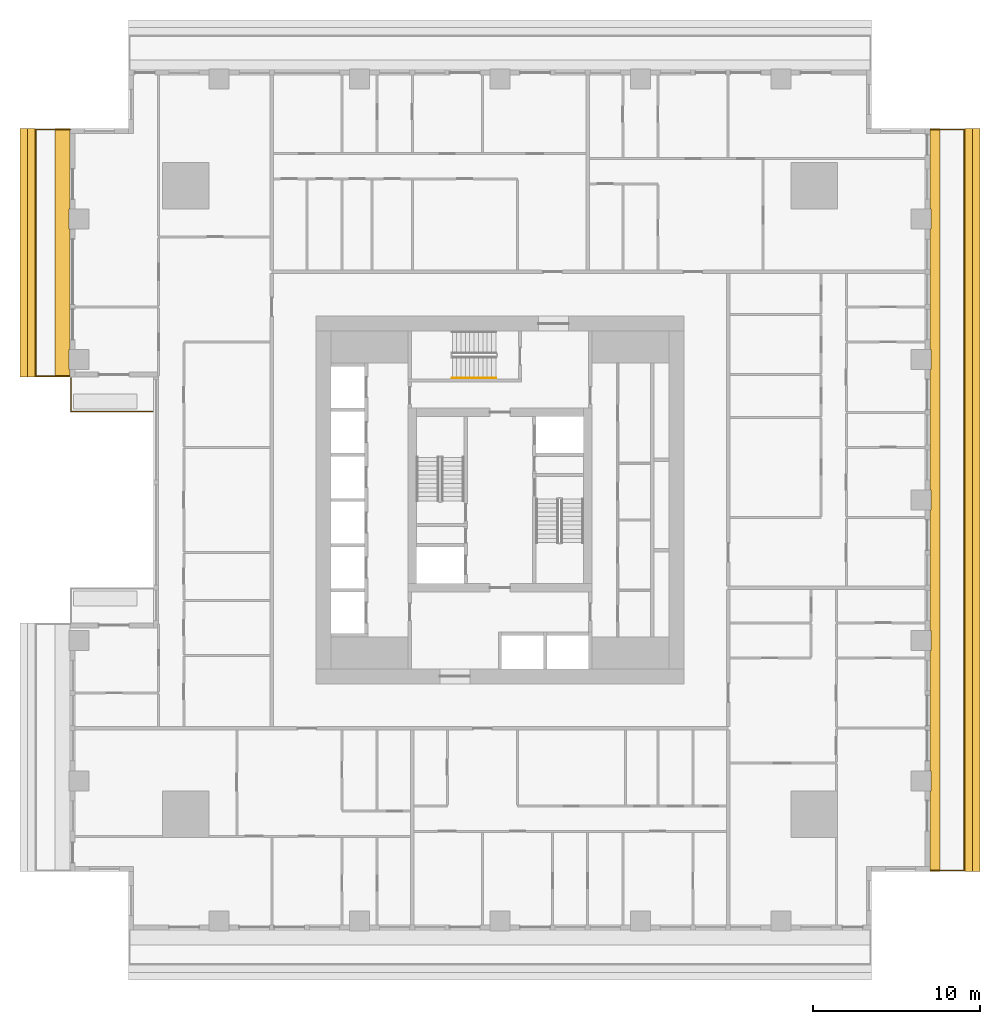
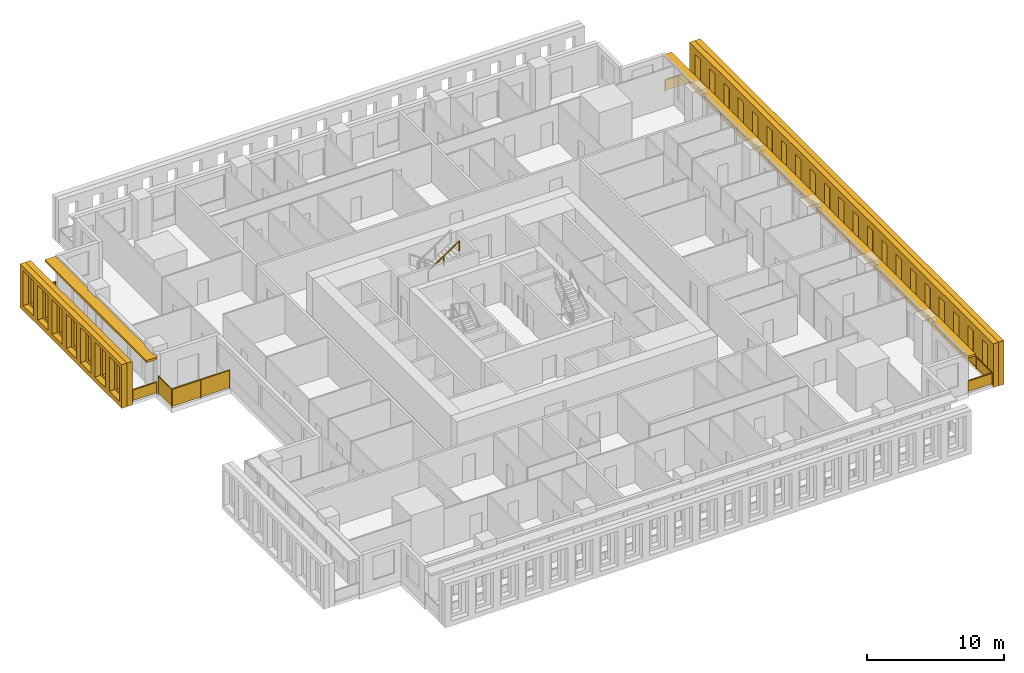
# One storey, part 13 of 15: 6 shading devices, 4 railings.
"""IFC4 building model written with IfcOpenShell, lengths in metres."""

import ifcopenshell
import ifcopenshell.guid

model = None  # the IFC model being written
_history = None  # IfcOwnerHistory: only IFC2X3 demands one
_inside = {}  # id of a spatial element -> (the spatial element, [elements in it])
_under = {}  # id of a project, library or spatial element -> (it, [spatial elements below it])
_declared = {}  # id of a project -> (the project, [libraries it declares])
_typed = {}  # id of a type object -> (the type object, [elements of that type])
_made_of = {}  # id of a material, layer set ... -> (it, [elements and type objects made of it])


def new_model(schema):
    """Start an empty IFC model of exactly this schema.

    Asked for "IFC4X3", IfcOpenShell would pick the latest addendum, in which some entities
    have other attributes; the version numbers below select the first issue.
    IFC2X3 requires an IfcOwnerHistory on every rooted entity: one is made here for all.
    """
    global model, _history
    if schema == "IFC4X3":
        model = ifcopenshell.file(schema_version=(4, 3, 0, 0))
    else:
        model = ifcopenshell.file(schema=schema)
    _inside.clear()
    _under.clear()
    _declared.clear()
    _typed.clear()
    _made_of.clear()
    _history = None
    if model.schema == "IFC2X3":
        org = make("IfcOrganization", Name="unknown")
        user = make(
            "IfcPersonAndOrganization",
            ThePerson=make("IfcPerson", FamilyName="unknown"),
            TheOrganization=org,
        )
        app = make(
            "IfcApplication",
            ApplicationDeveloper=org,
            Version="unknown",
            ApplicationFullName="unknown",
            ApplicationIdentifier="unknown",
        )
        _history = make(
            "IfcOwnerHistory",
            OwningUser=user,
            OwningApplication=app,
            ChangeAction="ADDED",
            CreationDate=0,
        )
    return model


def make(cls, **values):
    """One entity of the class cls with the attributes given. An attribute that is None is left unset."""
    return model.create_entity(
        cls, **{name: value for name, value in values.items() if value is not None}
    )


def rooted(cls, **values):
    """An entity with a GlobalId (a new one), such as an element, a storey or a relation."""
    return make(cls, GlobalId=ifcopenshell.guid.new(), OwnerHistory=_history, **values)


def si_unit(unit_type, name, prefix=None):
    """IfcSIUnit, for example si_unit("LENGTHUNIT", "METRE", prefix="MILLI")."""
    return make("IfcSIUnit", UnitType=unit_type, Prefix=prefix, Name=name)


def assignment(units):
    """IfcUnitAssignment: the units of a project."""
    return None if units is None else make("IfcUnitAssignment", Units=units)


def point(xyz):
    """IfcCartesianPoint."""
    return None if xyz is None else make("IfcCartesianPoint", Coordinates=xyz)


def direction(xyz):
    """IfcDirection."""
    return None if xyz is None else make("IfcDirection", DirectionRatios=xyz)


def frame(location, z_axis=None, x_axis=None):
    """IfcAxis2Placement3D, a coordinate frame: its origin and axes. An axis left out is left unset."""
    return make(
        "IfcAxis2Placement3D",
        Location=point(location),
        Axis=direction(z_axis),
        RefDirection=direction(x_axis),
    )


def frame_2d(location, x_axis=None):
    """IfcAxis2Placement2D, a coordinate frame in the plane: its origin and x axis."""
    return make(
        "IfcAxis2Placement2D", Location=point(location), RefDirection=direction(x_axis)
    )


def origin():
    """The frame at (0, 0, 0) with its axes left unset."""
    return frame((0.0, 0.0, 0.0))


def origin_2d():
    """The frame at (0, 0) in the plane with its x axis left unset."""
    return frame_2d((0.0, 0.0))


def place(relative_to, where):
    """IfcLocalPlacement: puts the frame where relative to a parent placement (None: the world)."""
    return make(
        "IfcLocalPlacement", PlacementRelTo=relative_to, RelativePlacement=where
    )


def context(
    kind, dimensions, precision=None, world=None, true_north=None, identifier=None
):
    """IfcGeometricRepresentationContext, for example the 3D "Model" context."""
    return make(
        "IfcGeometricRepresentationContext",
        ContextIdentifier=identifier,
        ContextType=kind,
        CoordinateSpaceDimension=dimensions,
        Precision=precision,
        WorldCoordinateSystem=world,
        TrueNorth=true_north,
    )


def subcontext(parent, identifier, kind, view, scale=None):
    """IfcGeometricRepresentationSubContext, for example "Body" below "Model"."""
    return make(
        "IfcGeometricRepresentationSubContext",
        ContextIdentifier=identifier,
        ContextType=kind,
        ParentContext=parent,
        TargetScale=scale,
        TargetView=view,
    )


def project(units=None, contexts=None):
    """IfcProject with its units and contexts."""
    return rooted(
        "IfcProject",
        Name="project",
        RepresentationContexts=contexts,
        UnitsInContext=assignment(units),
    )


def spatial(cls, under=None, at=None, **own):
    """A site, building, storey or space (cls), placed at a placement, below another one or the project."""
    s = rooted(cls, ObjectPlacement=at, **own)
    if under is not None:
        _under.setdefault(under.id(), (under, []))[1].append(s)
    return s


def polyline(points):
    """IfcPolyline through the points."""
    return make("IfcPolyline", Points=[point(p) for p in points])


def profile(cls, at=None, kind="AREA", **sizes):
    """A parametric profile (cls). Its sizes go by their IFC names, for example OverallWidth=200.0."""
    return make(cls, ProfileType=kind, Position=at, **sizes)


def rectangle(**sizes):
    """IfcRectangleProfileDef."""
    return profile("IfcRectangleProfileDef", **sizes)


def outline(outer, holes=None, kind="AREA"):
    """IfcArbitraryClosedProfileDef: a profile drawn as a closed curve; with holes, ...WithVoids."""
    if holes is None:
        return make("IfcArbitraryClosedProfileDef", ProfileType=kind, OuterCurve=outer)
    return make(
        "IfcArbitraryProfileDefWithVoids",
        ProfileType=kind,
        OuterCurve=outer,
        InnerCurves=holes,
    )


def extrude(swept, where, along, depth):
    """IfcExtrudedAreaSolid: the profile swept, set in the frame where, extruded along a direction by depth."""
    return make(
        "IfcExtrudedAreaSolid",
        SweptArea=swept,
        Position=where,
        ExtrudedDirection=direction(along),
        Depth=depth,
    )


def shape(context_of_items, identifier, shape_type, items):
    """IfcShapeRepresentation: the items that make up one representation, for example the "Body"."""
    return make(
        "IfcShapeRepresentation",
        ContextOfItems=context_of_items,
        RepresentationIdentifier=identifier,
        RepresentationType=shape_type,
        Items=items,
    )


def material(Name=None, Category=None):
    """IfcMaterial."""
    return make("IfcMaterial", Name=Name, Category=Category)


def layer(
    of_material, thickness, ventilated=None, Name=None, Category=None, Priority=None
):
    """IfcMaterialLayer: one layer of a wall or slab, of a material (None: an air gap)."""
    return make(
        "IfcMaterialLayer",
        Material=of_material,
        LayerThickness=thickness,
        IsVentilated=ventilated,
        Name=Name,
        Category=Category,
        Priority=Priority,
    )


def layer_set(layers, Name=None):
    """IfcMaterialLayerSet."""
    return make("IfcMaterialLayerSet", MaterialLayers=layers, LayerSetName=Name)


def made_of(thing, what):
    """Note that an element or type object is made of a material, layer set ...; save() writes the relation."""
    if what is not None:
        _made_of.setdefault(what.id(), (what, []))[1].append(thing)
    return thing


def type_object(cls, material=None, **own):
    """A type object (cls), such as IfcWallType, which elements share."""
    return made_of(rooted(cls, **own), material)


def element(
    cls,
    number,
    at=None,
    inside=None,
    cuts=None,
    type_object=None,
    material=None,
    context=None,
    identifier="Body",
    shape_type=None,
    held_by="IfcProductDefinitionShape",
    body=None,
    shapes=None,
    **own,
):
    """One element of the class cls, such as IfcWall. Its Tag is "e" and its number.

    at: its placement. inside: the storey or other place that contains it. cuts: it is an
    opening in that element (IfcRelVoidsElement). A single representation is given by context,
    identifier, shape_type and body (its items); several are given by shapes. held_by: the class
    of the entity that holds the representations. save() writes the other relations.
    """
    e = rooted(cls, Tag="e%d" % number, ObjectPlacement=at, **own)
    if body is not None:
        shapes = [shape(context, identifier, shape_type, body)]
    if shapes is not None:
        e.Representation = make(held_by, Representations=shapes)
    if inside is not None:
        _inside.setdefault(inside.id(), (inside, []))[1].append(e)
    if cuts is not None:
        rooted(
            "IfcRelVoidsElement", RelatingBuildingElement=cuts, RelatedOpeningElement=e
        )
    if type_object is not None:
        _typed.setdefault(type_object.id(), (type_object, []))[1].append(e)
    return made_of(e, material)


def aggregate(whole, parts):
    """IfcRelAggregates: a whole, such as a stair, and the parts it consists of."""
    return rooted("IfcRelAggregates", RelatingObject=whole, RelatedObjects=parts)


def save(model, path):
    """Write the relations noted so far, then the file.

    IfcRelAggregates (storeys below a building ...), IfcRelContainedInSpatialStructure (elements
    in a storey), IfcRelDefinesByType, IfcRelAssociatesMaterial and IfcRelDeclares: one each for
    every whole, place, type object, material and project.
    """
    for whole, parts in _under.values():
        aggregate(whole, parts)
    for where, things in _inside.values():
        rooted(
            "IfcRelContainedInSpatialStructure",
            RelatedElements=things,
            RelatingStructure=where,
        )
    for kind, things in _typed.values():
        rooted("IfcRelDefinesByType", RelatedObjects=things, RelatingType=kind)
    for what, things in _made_of.values():
        rooted("IfcRelAssociatesMaterial", RelatedObjects=things, RelatingMaterial=what)
    for by, libraries in _declared.values():
        rooted("IfcRelDeclares", RelatingContext=by, RelatedDefinitions=libraries)
    model.write(path)


model = new_model("IFC4")

# Units and contexts
model_context = context("Model", 3, precision=1e-05, world=origin(), true_north=direction((0.0, 1.0)))
body_context = subcontext(model_context, "Body", "Model", "MODEL_VIEW")
ifc_project = project(units=[si_unit("LENGTHUNIT", "METRE"), si_unit("AREAUNIT", "SQUARE_METRE"), si_unit("VOLUMEUNIT", "CUBIC_METRE"), si_unit("PLANEANGLEUNIT", "RADIAN"), si_unit("MASSUNIT", "GRAM", prefix="KILO")], contexts=[model_context])

# Site, building, storey
site_placement = place(None, origin())
site = spatial("IfcSite", under=ifc_project, at=site_placement, CompositionType="ELEMENT")
building_placement = place(site_placement, origin())
building = spatial("IfcBuilding", under=site, at=building_placement, Name="Khepri Terraces", CompositionType="ELEMENT")
storey_placement = place(building_placement, frame((0.0, 0.0, 94.800048828125)))
storey = spatial("IfcBuildingStorey", under=building, at=storey_placement, Name="L22", CompositionType="ELEMENT", Elevation=94.800048828125)

# Railings
ifc_material_1 = material(Name="Stainless steel grade 316", Category="steel")
railing_type_1 = type_object("IfcRailingType", Name="GRD-BAL-1100", PredefinedType="GUARDRAIL", material=ifc_material_1)
railing_1_placement = place(storey_placement, frame((25.719970703125, -22.169921875, 0.0)))
element("IfcRailing", 1, at=railing_1_placement, inside=storey, type_object=railing_type_1, Name="Balcony guard L22 E", PredefinedType="GUARDRAIL", context=body_context, shape_type="SweptSolid", body=[
    extrude(rectangle(XDim=0.050048828125, YDim=0.06005859375, at=origin_2d()), frame((0.0, 0.0, 1.070068359375), z_axis=(1.0, 0.0, 0.0), x_axis=(0.0, 1.0, 0.0)), (0.0, 0.0, 1.0), 2.050048828125),
    extrude(rectangle(XDim=2.0, YDim=0.011962890625, at=origin_2d()), frame((1.02490234375, 0.0, 0.10009765625), z_axis=(0.0, 0.0, 1.0), x_axis=(1.0, 0.0, 0.0)), (0.0, 0.0, 1.0), 0.93994140625),
    extrude(rectangle(XDim=0.050048828125, YDim=0.06005859375, at=origin_2d()), frame((2.050048828125, 0.0, 1.070068359375), z_axis=(0.0, 1.0, 0.0), x_axis=(-1.0, 0.0, 0.0)), (0.0, 0.0, 1.0), 44.33984375),
    extrude(rectangle(XDim=2.28369140625, YDim=0.011962890625, at=origin_2d()), frame((2.050048828125, 1.166748046875, 0.10009765625), z_axis=(0.0, 0.0, 1.0), x_axis=(0.0, 1.0, 0.0)), (0.0, 0.0, 1.0), 0.93994140625),
    extrude(rectangle(XDim=2.28369140625, YDim=0.011962890625, at=origin_2d()), frame((2.050048828125, 3.50048828125, 0.10009765625), z_axis=(0.0, 0.0, 1.0), x_axis=(0.0, 1.0, 0.0)), (0.0, 0.0, 1.0), 0.93994140625),
    extrude(rectangle(XDim=2.28369140625, YDim=0.011962890625, at=origin_2d()), frame((2.050048828125, 5.834228515625, 0.10009765625), z_axis=(0.0, 0.0, 1.0), x_axis=(0.0, 1.0, 0.0)), (0.0, 0.0, 1.0), 0.93994140625),
    extrude(rectangle(XDim=2.28369140625, YDim=0.011962890625, at=origin_2d()), frame((2.050048828125, 8.16796875, 0.10009765625), z_axis=(0.0, 0.0, 1.0), x_axis=(0.0, 1.0, 0.0)), (0.0, 0.0, 1.0), 0.93994140625),
    extrude(rectangle(XDim=2.28369140625, YDim=0.011962890625, at=origin_2d()), frame((2.050048828125, 10.50146484375, 0.10009765625), z_axis=(0.0, 0.0, 1.0), x_axis=(0.0, 1.0, 0.0)), (0.0, 0.0, 1.0), 0.93994140625),
    extrude(rectangle(XDim=2.28369140625, YDim=0.011962890625, at=origin_2d()), frame((2.050048828125, 12.835205078125, 0.10009765625), z_axis=(0.0, 0.0, 1.0), x_axis=(0.0, 1.0, 0.0)), (0.0, 0.0, 1.0), 0.93994140625),
    extrude(rectangle(XDim=2.28369140625, YDim=0.011962890625, at=origin_2d()), frame((2.050048828125, 15.1689453125, 0.10009765625), z_axis=(0.0, 0.0, 1.0), x_axis=(0.0, 1.0, 0.0)), (0.0, 0.0, 1.0), 0.93994140625),
    extrude(rectangle(XDim=2.28369140625, YDim=0.011962890625, at=origin_2d()), frame((2.050048828125, 17.502685546875, 0.10009765625), z_axis=(0.0, 0.0, 1.0), x_axis=(0.0, 1.0, 0.0)), (0.0, 0.0, 1.0), 0.93994140625),
    extrude(rectangle(XDim=2.28369140625, YDim=0.011962890625, at=origin_2d()), frame((2.050048828125, 19.836181640625, 0.10009765625), z_axis=(0.0, 0.0, 1.0), x_axis=(0.0, 1.0, 0.0)), (0.0, 0.0, 1.0), 0.93994140625),
    extrude(rectangle(XDim=2.28369140625, YDim=0.011962890625, at=origin_2d()), frame((2.050048828125, 22.169921875, 0.10009765625), z_axis=(0.0, 0.0, 1.0), x_axis=(0.0, 1.0, 0.0)), (0.0, 0.0, 1.0), 0.93994140625),
    extrude(rectangle(XDim=2.28369140625, YDim=0.011962890625, at=origin_2d()), frame((2.050048828125, 24.503662109375, 0.10009765625), z_axis=(0.0, 0.0, 1.0), x_axis=(0.0, 1.0, 0.0)), (0.0, 0.0, 1.0), 0.93994140625),
    extrude(rectangle(XDim=2.28369140625, YDim=0.011962890625, at=origin_2d()), frame((2.050048828125, 26.837158203125, 0.10009765625), z_axis=(0.0, 0.0, 1.0), x_axis=(0.0, 1.0, 0.0)), (0.0, 0.0, 1.0), 0.93994140625),
    extrude(rectangle(XDim=2.28369140625, YDim=0.011962890625, at=origin_2d()), frame((2.050048828125, 29.1708984375, 0.10009765625), z_axis=(0.0, 0.0, 1.0), x_axis=(0.0, 1.0, 0.0)), (0.0, 0.0, 1.0), 0.93994140625),
    extrude(rectangle(XDim=2.28369140625, YDim=0.011962890625, at=origin_2d()), frame((2.050048828125, 31.504638671875, 0.10009765625), z_axis=(0.0, 0.0, 1.0), x_axis=(0.0, 1.0, 0.0)), (0.0, 0.0, 1.0), 0.93994140625),
    extrude(rectangle(XDim=2.28369140625, YDim=0.011962890625, at=origin_2d()), frame((2.050048828125, 33.83837890625, 0.10009765625), z_axis=(0.0, 0.0, 1.0), x_axis=(0.0, 1.0, 0.0)), (0.0, 0.0, 1.0), 0.93994140625),
    extrude(rectangle(XDim=2.28369140625, YDim=0.011962890625, at=origin_2d()), frame((2.050048828125, 36.171875, 0.10009765625), z_axis=(0.0, 0.0, 1.0), x_axis=(0.0, 1.0, 0.0)), (0.0, 0.0, 1.0), 0.93994140625),
    extrude(rectangle(XDim=2.28369140625, YDim=0.011962890625, at=origin_2d()), frame((2.050048828125, 38.505615234375, 0.10009765625), z_axis=(0.0, 0.0, 1.0), x_axis=(0.0, 1.0, 0.0)), (0.0, 0.0, 1.0), 0.93994140625),
    extrude(rectangle(XDim=2.28369140625, YDim=0.011962890625, at=origin_2d()), frame((2.050048828125, 40.83935546875, 0.10009765625), z_axis=(0.0, 0.0, 1.0), x_axis=(0.0, 1.0, 0.0)), (0.0, 0.0, 1.0), 0.93994140625),
    extrude(rectangle(XDim=2.28369140625, YDim=0.011962890625, at=origin_2d()), frame((2.050048828125, 43.173095703125, 0.10009765625), z_axis=(0.0, 0.0, 1.0), x_axis=(0.0, 1.0, 0.0)), (0.0, 0.0, 1.0), 0.93994140625),
    extrude(rectangle(XDim=0.050048828125, YDim=0.06005859375, at=origin_2d()), frame((2.050048828125, 44.33984375, 1.070068359375), z_axis=(-1.0, 0.0, 0.0), x_axis=(0.0, -1.0, 0.0)), (0.0, 0.0, 1.0), 2.050048828125),
    extrude(rectangle(XDim=2.0, YDim=0.011962890625, at=origin_2d()), frame((1.02490234375, 44.33984375, 0.10009765625), z_axis=(0.0, 0.0, 1.0), x_axis=(-1.0, 0.0, 0.0)), (0.0, 0.0, 1.0), 0.93994140625),
    extrude(rectangle(XDim=0.050048828125, YDim=0.050048828125, at=origin_2d()), origin(), (0.0, 0.0, 1.0), 1.0400390625),
    extrude(rectangle(XDim=0.050048828125, YDim=0.050048828125, at=origin_2d()), frame((2.050048828125, 0.0, 0.0)), (0.0, 0.0, 1.0), 1.0400390625),
    extrude(rectangle(XDim=0.050048828125, YDim=0.050048828125, at=origin_2d()), frame((2.050048828125, 2.333740234375, 0.0)), (0.0, 0.0, 1.0), 1.0400390625),
    extrude(rectangle(XDim=0.050048828125, YDim=0.050048828125, at=origin_2d()), frame((2.050048828125, 4.667236328125, 0.0)), (0.0, 0.0, 1.0), 1.0400390625),
    extrude(rectangle(XDim=0.050048828125, YDim=0.050048828125, at=origin_2d()), frame((2.050048828125, 7.0009765625, 0.0)), (0.0, 0.0, 1.0), 1.0400390625),
    extrude(rectangle(XDim=0.050048828125, YDim=0.050048828125, at=origin_2d()), frame((2.050048828125, 9.334716796875, 0.0)), (0.0, 0.0, 1.0), 1.0400390625),
    extrude(rectangle(XDim=0.050048828125, YDim=0.050048828125, at=origin_2d()), frame((2.050048828125, 11.66845703125, 0.0)), (0.0, 0.0, 1.0), 1.0400390625),
    extrude(rectangle(XDim=0.050048828125, YDim=0.050048828125, at=origin_2d()), frame((2.050048828125, 14.001953125, 0.0)), (0.0, 0.0, 1.0), 1.0400390625),
    extrude(rectangle(XDim=0.050048828125, YDim=0.050048828125, at=origin_2d()), frame((2.050048828125, 16.335693359375, 0.0)), (0.0, 0.0, 1.0), 1.0400390625),
    extrude(rectangle(XDim=0.050048828125, YDim=0.050048828125, at=origin_2d()), frame((2.050048828125, 18.66943359375, 0.0)), (0.0, 0.0, 1.0), 1.0400390625),
    extrude(rectangle(XDim=0.050048828125, YDim=0.050048828125, at=origin_2d()), frame((2.050048828125, 21.003173828125, 0.0)), (0.0, 0.0, 1.0), 1.0400390625),
    extrude(rectangle(XDim=0.050048828125, YDim=0.050048828125, at=origin_2d()), frame((2.050048828125, 23.336669921875, 0.0)), (0.0, 0.0, 1.0), 1.0400390625),
    extrude(rectangle(XDim=0.050048828125, YDim=0.050048828125, at=origin_2d()), frame((2.050048828125, 25.67041015625, 0.0)), (0.0, 0.0, 1.0), 1.0400390625),
    extrude(rectangle(XDim=0.050048828125, YDim=0.050048828125, at=origin_2d()), frame((2.050048828125, 28.004150390625, 0.0)), (0.0, 0.0, 1.0), 1.0400390625),
    extrude(rectangle(XDim=0.050048828125, YDim=0.050048828125, at=origin_2d()), frame((2.050048828125, 30.337890625, 0.0)), (0.0, 0.0, 1.0), 1.0400390625),
    extrude(rectangle(XDim=0.050048828125, YDim=0.050048828125, at=origin_2d()), frame((2.050048828125, 32.67138671875, 0.0)), (0.0, 0.0, 1.0), 1.0400390625),
    extrude(rectangle(XDim=0.050048828125, YDim=0.050048828125, at=origin_2d()), frame((2.050048828125, 35.005126953125, 0.0)), (0.0, 0.0, 1.0), 1.0400390625),
    extrude(rectangle(XDim=0.050048828125, YDim=0.050048828125, at=origin_2d()), frame((2.050048828125, 37.3388671875, 0.0)), (0.0, 0.0, 1.0), 1.0400390625),
    extrude(rectangle(XDim=0.050048828125, YDim=0.050048828125, at=origin_2d()), frame((2.050048828125, 39.672607421875, 0.0)), (0.0, 0.0, 1.0), 1.0400390625),
    extrude(rectangle(XDim=0.050048828125, YDim=0.050048828125, at=origin_2d()), frame((2.050048828125, 42.006103515625, 0.0)), (0.0, 0.0, 1.0), 1.0400390625),
    extrude(rectangle(XDim=0.050048828125, YDim=0.050048828125, at=origin_2d()), frame((2.050048828125, 44.33984375, 0.0)), (0.0, 0.0, 1.0), 1.0400390625),
    extrude(rectangle(XDim=0.050048828125, YDim=0.050048828125, at=origin_2d()), frame((0.0, 44.33984375, 0.0)), (0.0, 0.0, 1.0), 1.0400390625),
])
railing_2_placement = place(storey_placement, frame((-25.719970703125, 22.169921875, 0.0)))
element("IfcRailing", 2, at=railing_2_placement, inside=storey, type_object=railing_type_1, Name="Balcony guard L22 W", PredefinedType="GUARDRAIL", context=body_context, shape_type="SweptSolid", body=[
    extrude(rectangle(XDim=0.050048828125, YDim=0.06005859375, at=origin_2d()), frame((0.0, 0.0, 1.070068359375), z_axis=(-1.0, 0.0, 0.0), x_axis=(0.0, -1.0, 0.0)), (0.0, 0.0, 1.0), 2.050048828125),
    extrude(rectangle(XDim=2.0, YDim=0.011962890625, at=origin_2d()), frame((-1.02490234375, 0.0, 0.10009765625), z_axis=(0.0, 0.0, 1.0), x_axis=(-1.0, 0.0, 0.0)), (0.0, 0.0, 1.0), 0.93994140625),
    extrude(rectangle(XDim=0.050048828125, YDim=0.06005859375, at=origin_2d()), frame((-2.050048828125, 0.0, 1.070068359375), z_axis=(0.0, -1.0, 0.0), x_axis=(1.0, 0.0, 0.0)), (0.0, 0.0, 1.0), 14.77001953125),
    extrude(rectangle(XDim=2.06005859375, YDim=0.011962890625, at=origin_2d()), frame((-2.050048828125, -1.054931640625, 0.10009765625), z_axis=(0.0, 0.0, 1.0), x_axis=(0.0, -1.0, 0.0)), (0.0, 0.0, 1.0), 0.93994140625),
    extrude(rectangle(XDim=2.06005859375, YDim=0.011962890625, at=origin_2d()), frame((-2.050048828125, -3.1650390625, 0.10009765625), z_axis=(0.0, 0.0, 1.0), x_axis=(0.0, -1.0, 0.0)), (0.0, 0.0, 1.0), 0.93994140625),
    extrude(rectangle(XDim=2.06005859375, YDim=0.011962890625, at=origin_2d()), frame((-2.050048828125, -5.27490234375, 0.10009765625), z_axis=(0.0, 0.0, 1.0), x_axis=(0.0, -1.0, 0.0)), (0.0, 0.0, 1.0), 0.93994140625),
    extrude(rectangle(XDim=2.06005859375, YDim=0.011962890625, at=origin_2d()), frame((-2.050048828125, -7.385009765625, 0.10009765625), z_axis=(0.0, 0.0, 1.0), x_axis=(0.0, -1.0, 0.0)), (0.0, 0.0, 1.0), 0.93994140625),
    extrude(rectangle(XDim=2.06005859375, YDim=0.011962890625, at=origin_2d()), frame((-2.050048828125, -9.4951171875, 0.10009765625), z_axis=(0.0, 0.0, 1.0), x_axis=(0.0, -1.0, 0.0)), (0.0, 0.0, 1.0), 0.93994140625),
    extrude(rectangle(XDim=2.06005859375, YDim=0.011962890625, at=origin_2d()), frame((-2.050048828125, -11.60498046875, 0.10009765625), z_axis=(0.0, 0.0, 1.0), x_axis=(0.0, -1.0, 0.0)), (0.0, 0.0, 1.0), 0.93994140625),
    extrude(rectangle(XDim=2.06005859375, YDim=0.011962890625, at=origin_2d()), frame((-2.050048828125, -13.715087890625, 0.10009765625), z_axis=(0.0, 0.0, 1.0), x_axis=(0.0, -1.0, 0.0)), (0.0, 0.0, 1.0), 0.93994140625),
    extrude(rectangle(XDim=0.050048828125, YDim=0.06005859375, at=origin_2d()), frame((-2.050048828125, -14.77001953125, 1.070068359375), z_axis=(1.0, 0.0, 0.0), x_axis=(0.0, 1.0, 0.0)), (0.0, 0.0, 1.0), 2.050048828125),
    extrude(rectangle(XDim=2.0, YDim=0.011962890625, at=origin_2d()), frame((-1.02490234375, -14.77001953125, 0.10009765625), z_axis=(0.0, 0.0, 1.0), x_axis=(1.0, 0.0, 0.0)), (0.0, 0.0, 1.0), 0.93994140625),
    extrude(rectangle(XDim=0.050048828125, YDim=0.050048828125, at=origin_2d()), origin(), (0.0, 0.0, 1.0), 1.0400390625),
    extrude(rectangle(XDim=0.050048828125, YDim=0.050048828125, at=origin_2d()), frame((-2.050048828125, 0.0, 0.0)), (0.0, 0.0, 1.0), 1.0400390625),
    extrude(rectangle(XDim=0.050048828125, YDim=0.050048828125, at=origin_2d()), frame((-2.050048828125, -2.110107421875, 0.0)), (0.0, 0.0, 1.0), 1.0400390625),
    extrude(rectangle(XDim=0.050048828125, YDim=0.050048828125, at=origin_2d()), frame((-2.050048828125, -4.219970703125, 0.0)), (0.0, 0.0, 1.0), 1.0400390625),
    extrude(rectangle(XDim=0.050048828125, YDim=0.050048828125, at=origin_2d()), frame((-2.050048828125, -6.330078125, 0.0)), (0.0, 0.0, 1.0), 1.0400390625),
    extrude(rectangle(XDim=0.050048828125, YDim=0.050048828125, at=origin_2d()), frame((-2.050048828125, -8.43994140625, 0.0)), (0.0, 0.0, 1.0), 1.0400390625),
    extrude(rectangle(XDim=0.050048828125, YDim=0.050048828125, at=origin_2d()), frame((-2.050048828125, -10.550048828125, 0.0)), (0.0, 0.0, 1.0), 1.0400390625),
    extrude(rectangle(XDim=0.050048828125, YDim=0.050048828125, at=origin_2d()), frame((-2.050048828125, -12.659912109375, 0.0)), (0.0, 0.0, 1.0), 1.0400390625),
    extrude(rectangle(XDim=0.050048828125, YDim=0.050048828125, at=origin_2d()), frame((-2.050048828125, -14.77001953125, 0.0)), (0.0, 0.0, 1.0), 1.0400390625),
    extrude(rectangle(XDim=0.050048828125, YDim=0.050048828125, at=origin_2d()), frame((0.0, -14.77001953125, 0.0)), (0.0, 0.0, 1.0), 1.0400390625),
])
railing_type_2 = type_object("IfcRailingType", Name="GRD-TERR-1700", PredefinedType="GUARDRAIL", material=ifc_material_1)
railing_3_placement = place(storey_placement, frame((-20.7900390625, 5.300048828125, 0.0)))
element("IfcRailing", 3, at=railing_3_placement, inside=storey, type_object=railing_type_2, Name="Terrace guard L22", PredefinedType="GUARDRAIL", context=body_context, shape_type="SweptSolid", body=[
    extrude(rectangle(XDim=0.050048828125, YDim=0.06005859375, at=origin_2d()), frame((0.0, 0.0, 1.669921875), z_axis=(-1.0, 0.0, 0.0), x_axis=(0.0, -1.0, 0.0)), (0.0, 0.0, 1.0), 4.8798828125),
    extrude(rectangle(XDim=2.389892578125, YDim=0.011962890625, at=origin_2d()), frame((-1.219970703125, 0.0, 0.10009765625), z_axis=(0.0, 0.0, 1.0), x_axis=(-1.0, 0.0, 0.0)), (0.0, 0.0, 1.0), 1.539794921875),
    extrude(rectangle(XDim=2.389892578125, YDim=0.011962890625, at=origin_2d()), frame((-3.659912109375, 0.0, 0.10009765625), z_axis=(0.0, 0.0, 1.0), x_axis=(-1.0, 0.0, 0.0)), (0.0, 0.0, 1.0), 1.539794921875),
    extrude(rectangle(XDim=0.050048828125, YDim=0.06005859375, at=origin_2d()), frame((-4.8798828125, 0.0, 1.669921875), z_axis=(0.0, 1.0, 0.0), x_axis=(-1.0, 0.0, 0.0)), (0.0, 0.0, 1.0), 1.97998046875),
    extrude(rectangle(XDim=1.929931640625, YDim=0.011962890625, at=origin_2d()), frame((-4.8798828125, 0.989990234375, 0.10009765625), z_axis=(0.0, 0.0, 1.0), x_axis=(0.0, 1.0, 0.0)), (0.0, 0.0, 1.0), 1.539794921875),
    extrude(rectangle(XDim=0.050048828125, YDim=0.050048828125, at=origin_2d()), origin(), (0.0, 0.0, 1.0), 1.639892578125),
    extrude(rectangle(XDim=0.050048828125, YDim=0.050048828125, at=origin_2d()), frame((-2.43994140625, 0.0, 0.0)), (0.0, 0.0, 1.0), 1.639892578125),
    extrude(rectangle(XDim=0.050048828125, YDim=0.050048828125, at=origin_2d()), frame((-4.8798828125, 0.0, 0.0)), (0.0, 0.0, 1.0), 1.639892578125),
    extrude(rectangle(XDim=0.050048828125, YDim=0.050048828125, at=origin_2d()), frame((-4.8798828125, 1.97998046875, 0.0)), (0.0, 0.0, 1.0), 1.639892578125),
])
ifc_material_2 = material(Name="Stainless steel 316", Category="steel")
railing_type_3 = type_object("IfcRailingType", Name="RL-CORE-HANDRAIL", PredefinedType="HANDRAIL", material=ifc_material_2)
railing_4_placement = place(storey_placement, frame((-2.85009765625, 7.300048828125, 2.127197265625)))
element("IfcRailing", 4, at=railing_4_placement, inside=storey, type_object=railing_type_3, Name="L22 ST-3 stair handrail 2", PredefinedType="HANDRAIL", context=body_context, shape_type="SweptSolid", body=[
    extrude(rectangle(XDim=0.050048828125, YDim=0.050048828125, at=origin_2d()), frame((0.0, 0.0, 0.875), z_axis=(0.826240473404, 0.0, 0.563317565952), x_axis=(0.0, 1.0, 0.0)), (0.0, 0.0, 1.0), 3.14697265625),
    extrude(rectangle(XDim=0.050048828125, YDim=0.050048828125, at=origin_2d()), origin(), (0.0, 0.0, 1.0), 0.849853515625),
    extrude(rectangle(XDim=0.050048828125, YDim=0.050048828125, at=origin_2d()), frame((1.300048828125, 0.0, 0.88623046875)), (0.0, 0.0, 1.0), 0.849853515625),
    extrude(rectangle(XDim=0.050048828125, YDim=0.050048828125, at=origin_2d()), frame((2.60009765625, 0.0, 1.772705078125)), (0.0, 0.0, 1.0), 0.849853515625),
])

# Shading devices
ifc_material_3 = material(Name="Precast concrete C50/60 warm stone", Category="masonry")
shading_device_type_1 = type_object("IfcShadingDeviceType", Name="SCR-CELL-INNER-450", PredefinedType="USERDEFINED", material=ifc_material_3)
shading_device_1_placement = place(storey_placement, frame((27.820068359375, -22.219970703125, -0.25), z_axis=(1.0, 0.0, 0.0), x_axis=(0.0, 1.0, 0.0)))
element("IfcShadingDevice", 5, at=shading_device_1_placement, inside=storey, type_object=shading_device_type_1, Name="Cell screen L22 E in", ObjectType="SCREEN", PredefinedType="USERDEFINED", context=body_context, shape_type="SweptSolid", body=[
    extrude(outline(polyline([(0.0, 0.0), (44.43994140625, 0.0), (44.43994140625, 3.89990234375), (0.0, 3.89990234375), (0.0, 0.0)]), holes=[polyline([(0.818359375, 0.699951171875), (1.62158203125, 0.699951171875), (1.62158203125, 3.300048828125), (0.818359375, 3.300048828125), (0.818359375, 0.699951171875)]), polyline([(2.91845703125, 0.699951171875), (3.7216796875, 0.699951171875), (3.7216796875, 3.300048828125), (2.91845703125, 3.300048828125), (2.91845703125, 0.699951171875)]), polyline([(5.018310546875, 0.699951171875), (5.821533203125, 0.699951171875), (5.821533203125, 3.300048828125), (5.018310546875, 3.300048828125), (5.018310546875, 0.699951171875)]), polyline([(7.118408203125, 0.699951171875), (7.921630859375, 0.699951171875), (7.921630859375, 3.300048828125), (7.118408203125, 3.300048828125), (7.118408203125, 0.699951171875)]), polyline([(9.218505859375, 0.699951171875), (10.021484375, 0.699951171875), (10.021484375, 3.300048828125), (9.218505859375, 3.300048828125), (9.218505859375, 0.699951171875)]), polyline([(11.318359375, 0.699951171875), (12.12158203125, 0.699951171875), (12.12158203125, 3.300048828125), (11.318359375, 3.300048828125), (11.318359375, 0.699951171875)]), polyline([(13.41845703125, 0.699951171875), (14.2216796875, 0.699951171875), (14.2216796875, 3.300048828125), (13.41845703125, 3.300048828125), (13.41845703125, 0.699951171875)]), polyline([(15.518310546875, 0.699951171875), (16.321533203125, 0.699951171875), (16.321533203125, 3.300048828125), (15.518310546875, 3.300048828125), (15.518310546875, 0.699951171875)]), polyline([(17.618408203125, 0.699951171875), (18.421630859375, 0.699951171875), (18.421630859375, 3.300048828125), (17.618408203125, 3.300048828125), (17.618408203125, 0.699951171875)]), polyline([(19.718505859375, 0.699951171875), (20.521484375, 0.699951171875), (20.521484375, 3.300048828125), (19.718505859375, 3.300048828125), (19.718505859375, 0.699951171875)]), polyline([(21.818359375, 0.699951171875), (22.62158203125, 0.699951171875), (22.62158203125, 3.300048828125), (21.818359375, 3.300048828125), (21.818359375, 0.699951171875)]), polyline([(23.91845703125, 0.699951171875), (24.7216796875, 0.699951171875), (24.7216796875, 3.300048828125), (23.91845703125, 3.300048828125), (23.91845703125, 0.699951171875)]), polyline([(26.018310546875, 0.699951171875), (26.821533203125, 0.699951171875), (26.821533203125, 3.300048828125), (26.018310546875, 3.300048828125), (26.018310546875, 0.699951171875)]), polyline([(28.118408203125, 0.699951171875), (28.921630859375, 0.699951171875), (28.921630859375, 3.300048828125), (28.118408203125, 3.300048828125), (28.118408203125, 0.699951171875)]), polyline([(30.218505859375, 0.699951171875), (31.021484375, 0.699951171875), (31.021484375, 3.300048828125), (30.218505859375, 3.300048828125), (30.218505859375, 0.699951171875)]), polyline([(32.318359375, 0.699951171875), (33.12158203125, 0.699951171875), (33.12158203125, 3.300048828125), (32.318359375, 3.300048828125), (32.318359375, 0.699951171875)]), polyline([(34.41845703125, 0.699951171875), (35.2216796875, 0.699951171875), (35.2216796875, 3.300048828125), (34.41845703125, 3.300048828125), (34.41845703125, 0.699951171875)]), polyline([(36.518310546875, 0.699951171875), (37.321533203125, 0.699951171875), (37.321533203125, 3.300048828125), (36.518310546875, 3.300048828125), (36.518310546875, 0.699951171875)]), polyline([(38.618408203125, 0.699951171875), (39.421630859375, 0.699951171875), (39.421630859375, 3.300048828125), (38.618408203125, 3.300048828125), (38.618408203125, 0.699951171875)]), polyline([(40.718505859375, 0.699951171875), (41.521484375, 0.699951171875), (41.521484375, 3.300048828125), (40.718505859375, 3.300048828125), (40.718505859375, 0.699951171875)]), polyline([(42.818359375, 0.699951171875), (43.62158203125, 0.699951171875), (43.62158203125, 3.300048828125), (42.818359375, 3.300048828125), (42.818359375, 0.699951171875)])]), origin(), (0.0, 0.0, 1.0), 0.449951171875),
])
shading_device_2_placement = place(storey_placement, frame((-27.820068359375, 22.219970703125, -0.25), z_axis=(-1.0, 0.0, 0.0), x_axis=(0.0, -1.0, 0.0)))
element("IfcShadingDevice", 6, at=shading_device_2_placement, inside=storey, type_object=shading_device_type_1, Name="Cell screen L22 W in", ObjectType="SCREEN", PredefinedType="USERDEFINED", context=body_context, shape_type="SweptSolid", body=[
    extrude(outline(polyline([(0.0, 0.0), (14.8701171875, 0.0), (14.8701171875, 3.89990234375), (0.0, 3.89990234375), (0.0, 0.0)]), holes=[polyline([(0.818359375, 0.699951171875), (1.62158203125, 0.699951171875), (1.62158203125, 3.300048828125), (0.818359375, 3.300048828125), (0.818359375, 0.699951171875)]), polyline([(2.91845703125, 0.699951171875), (3.7216796875, 0.699951171875), (3.7216796875, 3.300048828125), (2.91845703125, 3.300048828125), (2.91845703125, 0.699951171875)]), polyline([(5.018310546875, 0.699951171875), (5.821533203125, 0.699951171875), (5.821533203125, 3.300048828125), (5.018310546875, 3.300048828125), (5.018310546875, 0.699951171875)]), polyline([(7.118408203125, 0.699951171875), (7.921630859375, 0.699951171875), (7.921630859375, 3.300048828125), (7.118408203125, 3.300048828125), (7.118408203125, 0.699951171875)]), polyline([(9.218505859375, 0.699951171875), (10.021484375, 0.699951171875), (10.021484375, 3.300048828125), (9.218505859375, 3.300048828125), (9.218505859375, 0.699951171875)]), polyline([(11.318359375, 0.699951171875), (12.12158203125, 0.699951171875), (12.12158203125, 3.300048828125), (11.318359375, 3.300048828125), (11.318359375, 0.699951171875)]), polyline([(13.41845703125, 0.699951171875), (14.2216796875, 0.699951171875), (14.2216796875, 3.300048828125), (13.41845703125, 3.300048828125), (13.41845703125, 0.699951171875)])]), origin(), (0.0, 0.0, 1.0), 0.449951171875),
])
shading_device_type_2 = type_object("IfcShadingDeviceType", Name="SCR-CELL-OUTER-450", PredefinedType="USERDEFINED", material=ifc_material_3)
shading_device_3_placement = place(storey_placement, frame((28.27001953125, -22.219970703125, -0.25), z_axis=(1.0, 0.0, 0.0), x_axis=(0.0, 1.0, 0.0)))
element("IfcShadingDevice", 7, at=shading_device_3_placement, inside=storey, type_object=shading_device_type_2, Name="Cell screen L22 E out", ObjectType="SCREEN", PredefinedType="USERDEFINED", context=body_context, shape_type="SweptSolid", body=[
    extrude(outline(polyline([(0.0, 0.0), (44.43994140625, 0.0), (44.43994140625, 3.89990234375), (0.0, 3.89990234375), (0.0, 0.0)]), holes=[polyline([(0.468505859375, 0.449951171875), (1.9716796875, 0.449951171875), (1.9716796875, 3.550048828125), (0.468505859375, 3.550048828125), (0.468505859375, 0.449951171875)]), polyline([(2.568359375, 0.449951171875), (4.071533203125, 0.449951171875), (4.071533203125, 3.550048828125), (2.568359375, 3.550048828125), (2.568359375, 0.449951171875)]), polyline([(4.66845703125, 0.449951171875), (6.171630859375, 0.449951171875), (6.171630859375, 3.550048828125), (4.66845703125, 3.550048828125), (4.66845703125, 0.449951171875)]), polyline([(6.768310546875, 0.449951171875), (8.271484375, 0.449951171875), (8.271484375, 3.550048828125), (6.768310546875, 3.550048828125), (6.768310546875, 0.449951171875)]), polyline([(8.868408203125, 0.449951171875), (10.37158203125, 0.449951171875), (10.37158203125, 3.550048828125), (8.868408203125, 3.550048828125), (8.868408203125, 0.449951171875)]), polyline([(10.968505859375, 0.449951171875), (12.4716796875, 0.449951171875), (12.4716796875, 3.550048828125), (10.968505859375, 3.550048828125), (10.968505859375, 0.449951171875)]), polyline([(13.068359375, 0.449951171875), (14.571533203125, 0.449951171875), (14.571533203125, 3.550048828125), (13.068359375, 3.550048828125), (13.068359375, 0.449951171875)]), polyline([(15.16845703125, 0.449951171875), (16.671630859375, 0.449951171875), (16.671630859375, 3.550048828125), (15.16845703125, 3.550048828125), (15.16845703125, 0.449951171875)]), polyline([(17.268310546875, 0.449951171875), (18.771484375, 0.449951171875), (18.771484375, 3.550048828125), (17.268310546875, 3.550048828125), (17.268310546875, 0.449951171875)]), polyline([(19.368408203125, 0.449951171875), (20.87158203125, 0.449951171875), (20.87158203125, 3.550048828125), (19.368408203125, 3.550048828125), (19.368408203125, 0.449951171875)]), polyline([(21.468505859375, 0.449951171875), (22.9716796875, 0.449951171875), (22.9716796875, 3.550048828125), (21.468505859375, 3.550048828125), (21.468505859375, 0.449951171875)]), polyline([(23.568359375, 0.449951171875), (25.071533203125, 0.449951171875), (25.071533203125, 3.550048828125), (23.568359375, 3.550048828125), (23.568359375, 0.449951171875)]), polyline([(25.66845703125, 0.449951171875), (27.171630859375, 0.449951171875), (27.171630859375, 3.550048828125), (25.66845703125, 3.550048828125), (25.66845703125, 0.449951171875)]), polyline([(27.768310546875, 0.449951171875), (29.271484375, 0.449951171875), (29.271484375, 3.550048828125), (27.768310546875, 3.550048828125), (27.768310546875, 0.449951171875)]), polyline([(29.868408203125, 0.449951171875), (31.37158203125, 0.449951171875), (31.37158203125, 3.550048828125), (29.868408203125, 3.550048828125), (29.868408203125, 0.449951171875)]), polyline([(31.968505859375, 0.449951171875), (33.4716796875, 0.449951171875), (33.4716796875, 3.550048828125), (31.968505859375, 3.550048828125), (31.968505859375, 0.449951171875)]), polyline([(34.068359375, 0.449951171875), (35.571533203125, 0.449951171875), (35.571533203125, 3.550048828125), (34.068359375, 3.550048828125), (34.068359375, 0.449951171875)]), polyline([(36.16845703125, 0.449951171875), (37.671630859375, 0.449951171875), (37.671630859375, 3.550048828125), (36.16845703125, 3.550048828125), (36.16845703125, 0.449951171875)]), polyline([(38.268310546875, 0.449951171875), (39.771484375, 0.449951171875), (39.771484375, 3.550048828125), (38.268310546875, 3.550048828125), (38.268310546875, 0.449951171875)]), polyline([(40.368408203125, 0.449951171875), (41.87158203125, 0.449951171875), (41.87158203125, 3.550048828125), (40.368408203125, 3.550048828125), (40.368408203125, 0.449951171875)]), polyline([(42.468505859375, 0.449951171875), (43.9716796875, 0.449951171875), (43.9716796875, 3.550048828125), (42.468505859375, 3.550048828125), (42.468505859375, 0.449951171875)])]), origin(), (0.0, 0.0, 1.0), 0.449951171875),
])
shading_device_4_placement = place(storey_placement, frame((-28.27001953125, 22.219970703125, -0.25), z_axis=(-1.0, 0.0, 0.0), x_axis=(0.0, -1.0, 0.0)))
element("IfcShadingDevice", 8, at=shading_device_4_placement, inside=storey, type_object=shading_device_type_2, Name="Cell screen L22 W out", ObjectType="SCREEN", PredefinedType="USERDEFINED", context=body_context, shape_type="SweptSolid", body=[
    extrude(outline(polyline([(0.0, 0.0), (14.8701171875, 0.0), (14.8701171875, 3.89990234375), (0.0, 3.89990234375), (0.0, 0.0)]), holes=[polyline([(0.468505859375, 0.449951171875), (1.9716796875, 0.449951171875), (1.9716796875, 3.550048828125), (0.468505859375, 3.550048828125), (0.468505859375, 0.449951171875)]), polyline([(2.568359375, 0.449951171875), (4.071533203125, 0.449951171875), (4.071533203125, 3.550048828125), (2.568359375, 3.550048828125), (2.568359375, 0.449951171875)]), polyline([(4.66845703125, 0.449951171875), (6.171630859375, 0.449951171875), (6.171630859375, 3.550048828125), (4.66845703125, 3.550048828125), (4.66845703125, 0.449951171875)]), polyline([(6.768310546875, 0.449951171875), (8.271484375, 0.449951171875), (8.271484375, 3.550048828125), (6.768310546875, 3.550048828125), (6.768310546875, 0.449951171875)]), polyline([(8.868408203125, 0.449951171875), (10.37158203125, 0.449951171875), (10.37158203125, 3.550048828125), (8.868408203125, 3.550048828125), (8.868408203125, 0.449951171875)]), polyline([(10.968505859375, 0.449951171875), (12.4716796875, 0.449951171875), (12.4716796875, 3.550048828125), (10.968505859375, 3.550048828125), (10.968505859375, 0.449951171875)]), polyline([(13.068359375, 0.449951171875), (14.571533203125, 0.449951171875), (14.571533203125, 3.550048828125), (13.068359375, 3.550048828125), (13.068359375, 0.449951171875)])]), origin(), (0.0, 0.0, 1.0), 0.449951171875),
])
ifc_layer_1 = layer(ifc_material_3, 0.199951171875, Name="Precast concrete C50/60 warm stone", Category="masonry")
ifc_layer_set_1 = layer_set([ifc_layer_1], Name="Precast concrete C50/60 warm stone")
shading_device_type_3 = type_object("IfcShadingDeviceType", Name="SSH-BAND-STONE-200", PredefinedType="USERDEFINED", material=ifc_layer_set_1)
shading_device_5_placement = place(storey_placement, frame((0.0, 0.0, 3.099853515625)))
element("IfcShadingDevice", 9, at=shading_device_5_placement, inside=storey, type_object=shading_device_type_3, Name="Sunshade band L22 W", ObjectType="SUNSHADE", PredefinedType="USERDEFINED", context=body_context, shape_type="SweptSolid", body=[
    extrude(outline(polyline([(-25.719970703125, 17.39990234375), (-25.719970703125, 22.219970703125), (-26.6201171875, 22.219970703125), (-26.6201171875, 7.35009765625), (-25.719970703125, 7.35009765625), (-25.719970703125, 7.800048828125), (-25.800048828125, 7.800048828125), (-25.800048828125, 9.0), (-25.719970703125, 9.0), (-25.719970703125, 16.199951171875), (-25.800048828125, 16.199951171875), (-25.800048828125, 17.39990234375), (-25.719970703125, 17.39990234375)])), origin(), (0.0, 0.0, 1.0), 0.2001953125),
])
ifc_layer_2 = layer(ifc_material_3, 0.199951171875, Name="Precast concrete C50/60 warm stone", Category="masonry")
ifc_layer_set_2 = layer_set([ifc_layer_2], Name="Precast concrete C50/60 warm stone")
shading_device_type_4 = type_object("IfcShadingDeviceType", Name="SSH-BAND-STONE-200-N", PredefinedType="USERDEFINED", material=ifc_layer_set_2)
shading_device_6_placement = place(storey_placement, frame((0.0, 0.0, 3.099853515625)))
element("IfcShadingDevice", 10, at=shading_device_6_placement, inside=storey, type_object=shading_device_type_4, Name="Sunshade band L22 E", ObjectType="SUNSHADE", PredefinedType="USERDEFINED", context=body_context, shape_type="SweptSolid", body=[
    extrude(outline(polyline([(25.719970703125, -17.39990234375), (25.719970703125, -22.219970703125), (26.320068359375, -22.219970703125), (26.320068359375, 22.219970703125), (25.719970703125, 22.219970703125), (25.719970703125, 17.39990234375), (25.800048828125, 17.39990234375), (25.800048828125, 16.199951171875), (25.719970703125, 16.199951171875), (25.719970703125, 9.0), (25.800048828125, 9.0), (25.800048828125, 7.800048828125), (25.719970703125, 7.800048828125), (25.719970703125, 0.60009765625), (25.800048828125, 0.60009765625), (25.800048828125, -0.60009765625), (25.719970703125, -0.60009765625), (25.719970703125, -7.800048828125), (25.800048828125, -7.800048828125), (25.800048828125, -9.0), (25.719970703125, -9.0), (25.719970703125, -16.199951171875), (25.800048828125, -16.199951171875), (25.800048828125, -17.39990234375), (25.719970703125, -17.39990234375)])), origin(), (0.0, 0.0, 1.0), 0.2001953125),
])

save(model, "model.ifc")
